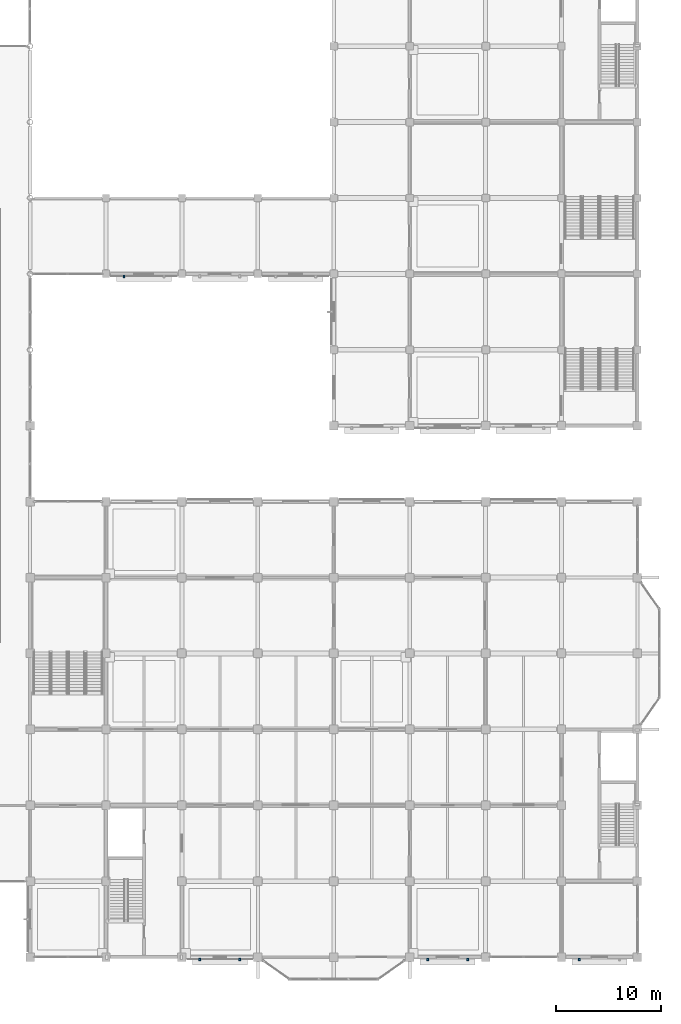
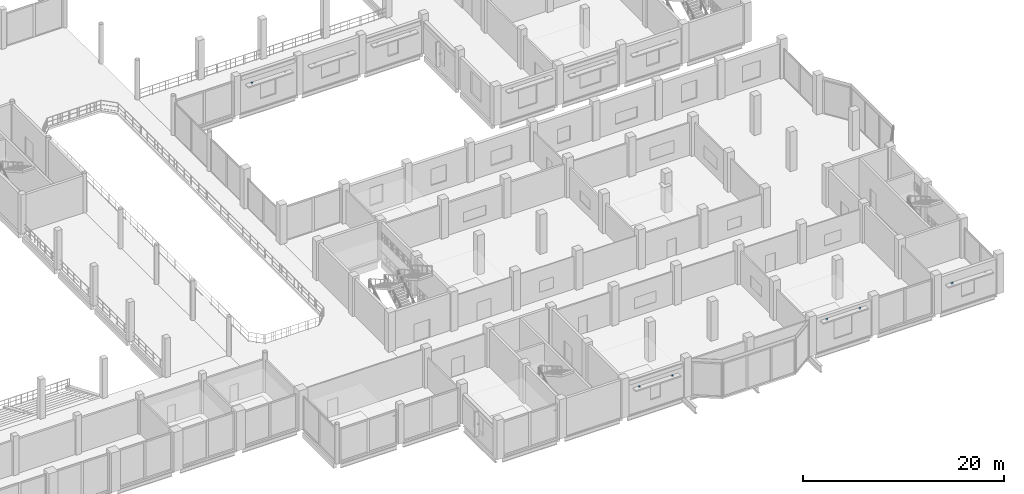
# One storey, part 77 of 99: 6 discrete accessories.
"""IFC4 building model written with IfcOpenShell, lengths in metres."""

from ifc_helpers import new_model, si_unit, direction, frame, origin, origin_2d, place, context, subcontext, project, spatial, rectangle, extrude, material, type_object, element, save


model = new_model("IFC4")

# Units and contexts
model_context = context("Model", 3, precision=1e-05, world=origin(), true_north=direction((0.0, 1.0)))
body_context = subcontext(model_context, "Body", "Model", "MODEL_VIEW")
ifc_project = project(units=[si_unit("LENGTHUNIT", "METRE"), si_unit("AREAUNIT", "SQUARE_METRE"), si_unit("VOLUMEUNIT", "CUBIC_METRE"), si_unit("PLANEANGLEUNIT", "RADIAN"), si_unit("MASSUNIT", "GRAM", prefix="KILO")], contexts=[model_context])

# Site, building, storey
site_placement = place(None, origin())
site = spatial("IfcSite", under=ifc_project, at=site_placement, CompositionType="ELEMENT")
building_placement = place(site_placement, origin())
building = spatial("IfcBuilding", under=site, at=building_placement, Name="Vesperath Aquatics Centre", CompositionType="ELEMENT")
storey_placement = place(building_placement, frame((0.0, 0.0, 5.39990234375)))
storey = spatial("IfcBuildingStorey", under=building, at=storey_placement, Name="L01", CompositionType="ELEMENT", Elevation=5.39990234375)

# Discrete accessories
ifc_material = material(Name="Stainless steel facade anchor bracket", Category="steel")
discrete_accessory_type = type_object("IfcDiscreteAccessoryType", Name="DA-BRK01", PredefinedType="BRACKET", material=ifc_material)
for number, where, z_axis, x_axis, name in (
    (1, (131.300048828125, -0.219970703125, 2.97998046875), (0.0, 0.0, 1.0), (1.0, 0.0, 0.0), "Sunshade Anchor Bracket BK01 L01_S_18_00-W"),
    (2, (135.10009765625, -0.219970703125, 2.97998046875), (0.0, 0.0, 1.0), (1.0, 0.0, 0.0), "Sunshade Anchor Bracket BK01 L01_S_18_00-E"),
    (3, (152.89990234375, -0.219970703125, 3.63037109375), (0.0, 0.0, 1.0), (1.0, 0.0, 0.0), "Sunshade Anchor Bracket BK01 L01_S_21_00-W"),
    (4, (156.699951171875, -0.219970703125, 3.63037109375), (0.0, 0.0, 1.0), (1.0, 0.0, 0.0), "Sunshade Anchor Bracket BK01 L01_S_21_00-E"),
    (5, (167.300048828125, -0.22998046875, 2.97998046875), (0.0, 0.0, 1.0), (1.0, 0.0, 0.0), "Sunshade Anchor Bracket BK01 L01_S_23_00-W"),
    (6, (124.10009765625, 64.570068359375, 3.18017578125), (0.0, 0.0, 1.0), (1.0, 0.0, 0.0), "Sunshade Anchor Bracket BK01 L01_S_17_09-W"),
):
    element("IfcDiscreteAccessory", number, at=place(storey_placement, frame(where, z_axis=z_axis, x_axis=x_axis)), inside=storey, type_object=discrete_accessory_type, Name=name, PredefinedType="BRACKET", context=body_context, shape_type="SweptSolid", body=[
        extrude(rectangle(XDim=0.179931640625, YDim=0.239990234375, at=origin_2d()), origin(), (0.0, 0.0, 1.0), 0.179931640625),
    ])

save(model, "model.ifc")
